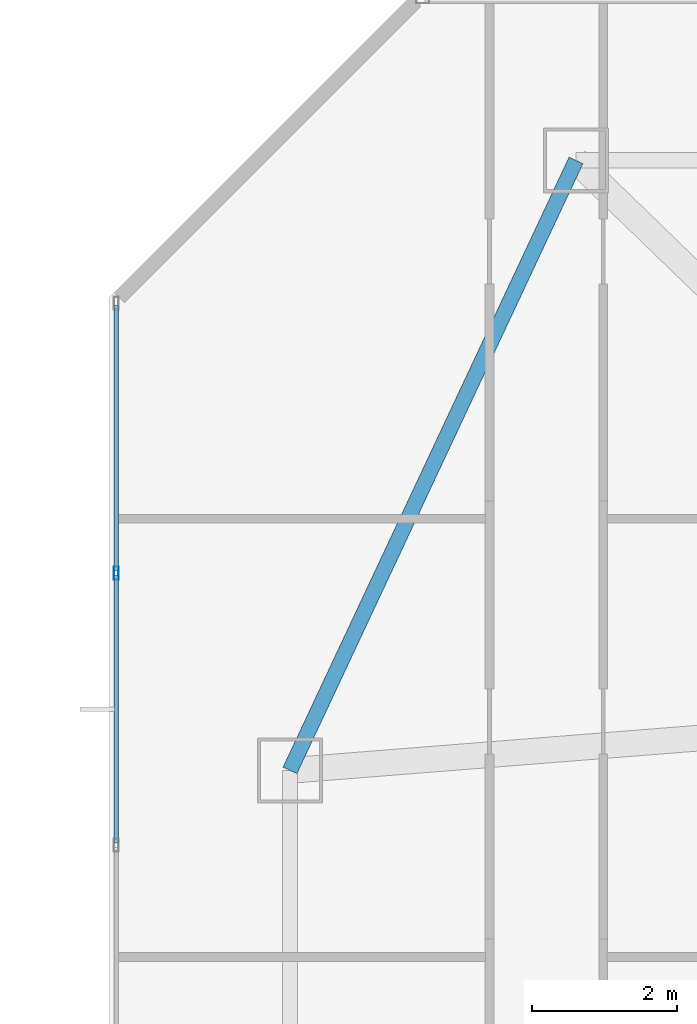
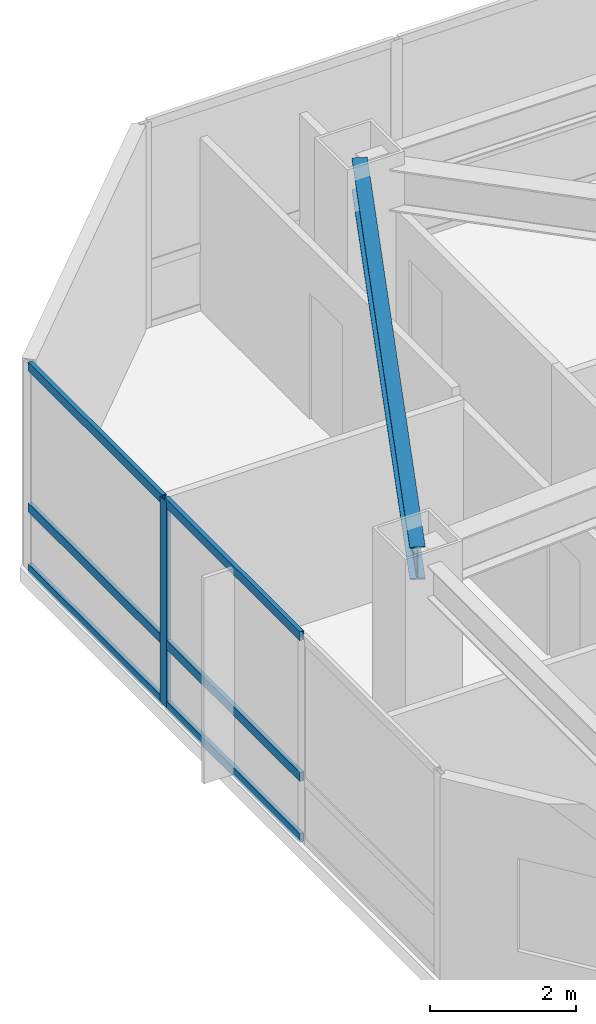
# One storey, part 3 of 21: 7 members, 1 beam, 1 element without a shape of its own.
"""IFC4 building model written with IfcOpenShell, lengths in metres."""

import ifcopenshell
import ifcopenshell.guid

model = None  # the IFC model being written
_history = None  # IfcOwnerHistory: only IFC2X3 demands one
_inside = {}  # id of a spatial element -> (the spatial element, [elements in it])
_under = {}  # id of a project, library or spatial element -> (it, [spatial elements below it])
_declared = {}  # id of a project -> (the project, [libraries it declares])
_typed = {}  # id of a type object -> (the type object, [elements of that type])
_made_of = {}  # id of a material, layer set ... -> (it, [elements and type objects made of it])


def new_model(schema):
    """Start an empty IFC model of exactly this schema.

    Asked for "IFC4X3", IfcOpenShell would pick the latest addendum, in which some entities
    have other attributes; the version numbers below select the first issue.
    IFC2X3 requires an IfcOwnerHistory on every rooted entity: one is made here for all.
    """
    global model, _history
    if schema == "IFC4X3":
        model = ifcopenshell.file(schema_version=(4, 3, 0, 0))
    else:
        model = ifcopenshell.file(schema=schema)
    _inside.clear()
    _under.clear()
    _declared.clear()
    _typed.clear()
    _made_of.clear()
    _history = None
    if model.schema == "IFC2X3":
        org = make("IfcOrganization", Name="unknown")
        user = make(
            "IfcPersonAndOrganization",
            ThePerson=make("IfcPerson", FamilyName="unknown"),
            TheOrganization=org,
        )
        app = make(
            "IfcApplication",
            ApplicationDeveloper=org,
            Version="unknown",
            ApplicationFullName="unknown",
            ApplicationIdentifier="unknown",
        )
        _history = make(
            "IfcOwnerHistory",
            OwningUser=user,
            OwningApplication=app,
            ChangeAction="ADDED",
            CreationDate=0,
        )
    return model


def make(cls, **values):
    """One entity of the class cls with the attributes given. An attribute that is None is left unset."""
    return model.create_entity(
        cls, **{name: value for name, value in values.items() if value is not None}
    )


def rooted(cls, **values):
    """An entity with a GlobalId (a new one), such as an element, a storey or a relation."""
    return make(cls, GlobalId=ifcopenshell.guid.new(), OwnerHistory=_history, **values)


def si_unit(unit_type, name, prefix=None):
    """IfcSIUnit, for example si_unit("LENGTHUNIT", "METRE", prefix="MILLI")."""
    return make("IfcSIUnit", UnitType=unit_type, Prefix=prefix, Name=name)


def assignment(units):
    """IfcUnitAssignment: the units of a project."""
    return None if units is None else make("IfcUnitAssignment", Units=units)


def point(xyz):
    """IfcCartesianPoint."""
    return None if xyz is None else make("IfcCartesianPoint", Coordinates=xyz)


def direction(xyz):
    """IfcDirection."""
    return None if xyz is None else make("IfcDirection", DirectionRatios=xyz)


def frame(location, z_axis=None, x_axis=None):
    """IfcAxis2Placement3D, a coordinate frame: its origin and axes. An axis left out is left unset."""
    return make(
        "IfcAxis2Placement3D",
        Location=point(location),
        Axis=direction(z_axis),
        RefDirection=direction(x_axis),
    )


def frame_2d(location, x_axis=None):
    """IfcAxis2Placement2D, a coordinate frame in the plane: its origin and x axis."""
    return make(
        "IfcAxis2Placement2D", Location=point(location), RefDirection=direction(x_axis)
    )


def origin():
    """The frame at (0, 0, 0) with its axes left unset."""
    return frame((0.0, 0.0, 0.0))


def origin_2d():
    """The frame at (0, 0) in the plane with its x axis left unset."""
    return frame_2d((0.0, 0.0))


def place(relative_to, where):
    """IfcLocalPlacement: puts the frame where relative to a parent placement (None: the world)."""
    return make(
        "IfcLocalPlacement", PlacementRelTo=relative_to, RelativePlacement=where
    )


def context(
    kind, dimensions, precision=None, world=None, true_north=None, identifier=None
):
    """IfcGeometricRepresentationContext, for example the 3D "Model" context."""
    return make(
        "IfcGeometricRepresentationContext",
        ContextIdentifier=identifier,
        ContextType=kind,
        CoordinateSpaceDimension=dimensions,
        Precision=precision,
        WorldCoordinateSystem=world,
        TrueNorth=true_north,
    )


def subcontext(parent, identifier, kind, view, scale=None):
    """IfcGeometricRepresentationSubContext, for example "Body" below "Model"."""
    return make(
        "IfcGeometricRepresentationSubContext",
        ContextIdentifier=identifier,
        ContextType=kind,
        ParentContext=parent,
        TargetScale=scale,
        TargetView=view,
    )


def project(units=None, contexts=None):
    """IfcProject with its units and contexts."""
    return rooted(
        "IfcProject",
        Name="project",
        RepresentationContexts=contexts,
        UnitsInContext=assignment(units),
    )


def spatial(cls, under=None, at=None, **own):
    """A site, building, storey or space (cls), placed at a placement, below another one or the project."""
    s = rooted(cls, ObjectPlacement=at, **own)
    if under is not None:
        _under.setdefault(under.id(), (under, []))[1].append(s)
    return s


def profile(cls, at=None, kind="AREA", **sizes):
    """A parametric profile (cls). Its sizes go by their IFC names, for example OverallWidth=200.0."""
    return make(cls, ProfileType=kind, Position=at, **sizes)


def hollow_rectangle(**sizes):
    """IfcRectangleHollowProfileDef."""
    return profile("IfcRectangleHollowProfileDef", **sizes)


def i_section(**sizes):
    """IfcIShapeProfileDef."""
    return profile("IfcIShapeProfileDef", **sizes)


def extrude(swept, where, along, depth):
    """IfcExtrudedAreaSolid: the profile swept, set in the frame where, extruded along a direction by depth."""
    return make(
        "IfcExtrudedAreaSolid",
        SweptArea=swept,
        Position=where,
        ExtrudedDirection=direction(along),
        Depth=depth,
    )


def shape(context_of_items, identifier, shape_type, items):
    """IfcShapeRepresentation: the items that make up one representation, for example the "Body"."""
    return make(
        "IfcShapeRepresentation",
        ContextOfItems=context_of_items,
        RepresentationIdentifier=identifier,
        RepresentationType=shape_type,
        Items=items,
    )


def material(Name=None, Category=None):
    """IfcMaterial."""
    return make("IfcMaterial", Name=Name, Category=Category)


def material_profile(
    of_material, cross_section, Name=None, Category=None, Priority=None
):
    """IfcMaterialProfile: a cross section and its material."""
    return make(
        "IfcMaterialProfile",
        Name=Name,
        Material=of_material,
        Profile=cross_section,
        Priority=Priority,
        Category=Category,
    )


def profile_set(profiles, Name=None, composite=None):
    """IfcMaterialProfileSet."""
    return make(
        "IfcMaterialProfileSet",
        Name=Name,
        MaterialProfiles=profiles,
        CompositeProfile=composite,
    )


def made_of(thing, what):
    """Note that an element or type object is made of a material, layer set ...; save() writes the relation."""
    if what is not None:
        _made_of.setdefault(what.id(), (what, []))[1].append(thing)
    return thing


def type_object(cls, material=None, **own):
    """A type object (cls), such as IfcWallType, which elements share."""
    return made_of(rooted(cls, **own), material)


def element(
    cls,
    number,
    at=None,
    inside=None,
    cuts=None,
    type_object=None,
    material=None,
    context=None,
    identifier="Body",
    shape_type=None,
    held_by="IfcProductDefinitionShape",
    body=None,
    shapes=None,
    **own,
):
    """One element of the class cls, such as IfcWall. Its Tag is "e" and its number.

    at: its placement. inside: the storey or other place that contains it. cuts: it is an
    opening in that element (IfcRelVoidsElement). A single representation is given by context,
    identifier, shape_type and body (its items); several are given by shapes. held_by: the class
    of the entity that holds the representations. save() writes the other relations.
    """
    e = rooted(cls, Tag="e%d" % number, ObjectPlacement=at, **own)
    if body is not None:
        shapes = [shape(context, identifier, shape_type, body)]
    if shapes is not None:
        e.Representation = make(held_by, Representations=shapes)
    if inside is not None:
        _inside.setdefault(inside.id(), (inside, []))[1].append(e)
    if cuts is not None:
        rooted(
            "IfcRelVoidsElement", RelatingBuildingElement=cuts, RelatedOpeningElement=e
        )
    if type_object is not None:
        _typed.setdefault(type_object.id(), (type_object, []))[1].append(e)
    return made_of(e, material)


def aggregate(whole, parts):
    """IfcRelAggregates: a whole, such as a stair, and the parts it consists of."""
    return rooted("IfcRelAggregates", RelatingObject=whole, RelatedObjects=parts)


def save(model, path):
    """Write the relations noted so far, then the file.

    IfcRelAggregates (storeys below a building ...), IfcRelContainedInSpatialStructure (elements
    in a storey), IfcRelDefinesByType, IfcRelAssociatesMaterial and IfcRelDeclares: one each for
    every whole, place, type object, material and project.
    """
    for whole, parts in _under.values():
        aggregate(whole, parts)
    for where, things in _inside.values():
        rooted(
            "IfcRelContainedInSpatialStructure",
            RelatedElements=things,
            RelatingStructure=where,
        )
    for kind, things in _typed.values():
        rooted("IfcRelDefinesByType", RelatedObjects=things, RelatingType=kind)
    for what, things in _made_of.values():
        rooted("IfcRelAssociatesMaterial", RelatedObjects=things, RelatingMaterial=what)
    for by, libraries in _declared.values():
        rooted("IfcRelDeclares", RelatingContext=by, RelatedDefinitions=libraries)
    model.write(path)


model = new_model("IFC4")

# Units and contexts
model_context = context("Model", 3, precision=1e-05, world=origin(), true_north=direction((0.0, 1.0)))
body_context = subcontext(model_context, "Body", "Model", "MODEL_VIEW")
ifc_project = project(units=[si_unit("LENGTHUNIT", "METRE"), si_unit("AREAUNIT", "SQUARE_METRE"), si_unit("VOLUMEUNIT", "CUBIC_METRE"), si_unit("PLANEANGLEUNIT", "RADIAN"), si_unit("MASSUNIT", "GRAM", prefix="KILO")], contexts=[model_context])

# Site, building, storey
site_placement = place(None, origin())
site = spatial("IfcSite", under=ifc_project, at=site_placement, CompositionType="ELEMENT")
building_placement = place(site_placement, origin())
building = spatial("IfcBuilding", under=site, at=building_placement, Name="Khamvora Tower", CompositionType="ELEMENT")
storey_placement = place(building_placement, frame((0.0, 0.0, 159.550048828125)))
storey = spatial("IfcBuildingStorey", under=building, at=storey_placement, Name="L40", CompositionType="ELEMENT", Elevation=159.550048828125)

# Beam
ifc_material_1 = material(Name="Steel S355", Category="steel")
ifc_material_profile_1 = material_profile(ifc_material_1, i_section(OverallWidth=0.2119140625, OverallDepth=0.5439453125, WebThickness=0.012939453125, FlangeThickness=0.02099609375, FilletRadius=0.013916015625, at=origin_2d()), Name="W530x123")
ifc_profile_set_1 = profile_set([ifc_material_profile_1], Name="Steel S355")
beam_type = type_object("IfcBeamType", Name="BM-SP-W530x123", PredefinedType="SPANDREL", material=ifc_profile_set_1)
beam_placement = place(storey_placement, frame((21.25, 44.5, 3.157958984375), z_axis=(-0.424496391454, -0.905429629315, 0.0), x_axis=(0.905429629315, -0.424496391454, 0.0)))
element("IfcBeam", 1, at=beam_placement, inside=storey, type_object=beam_type, Name="L40 perimeter spandrel beam N1-W2", PredefinedType="SPANDREL", context=body_context, shape_type="SweptSolid", body=[
    extrude(i_section(OverallWidth=0.2119140625, OverallDepth=0.5439453125, WebThickness=0.012939453125, FlangeThickness=0.02099609375, FilletRadius=0.013916015625, at=origin_2d()), origin(), (0.0, 0.0, 1.0), 9.304931640625),
])

# Curtain wall, members
ifc_material_2 = material(Name="Anodised Aluminium 6063-T6", Category="aluminium")
curtain_wall_type = type_object("IfcCurtainWallType", Name="CW-SYS-04", PredefinedType="NOTDEFINED", material=ifc_material_2)
curtain_wall_placement = place(storey_placement, origin())
curtain_wall = element("IfcCurtainWall", 2, at=curtain_wall_placement, inside=storey, type_object=curtain_wall_type, Name="L40 stick curtain wall 05.1", PredefinedType="NOTDEFINED")
ifc_material_profile_2 = material_profile(ifc_material_2, hollow_rectangle(XDim=0.06494140625, YDim=0.179931640625, WallThickness=0.0048828125, at=origin_2d()), Name="MUL65x180x5")
ifc_profile_set_2 = profile_set([ifc_material_profile_2], Name="Anodised Aluminium 6063-T6")
member_type_1 = type_object("IfcMemberType", Name="CW-SYS-04-MUL", PredefinedType="MULLION", material=ifc_profile_set_2)
member_1_placement = place(storey_placement, frame((14.89990234375, 38.80078125, 0.0), z_axis=(0.0, 0.0, 1.0), x_axis=(-1.0, 0.0, 0.0)))
member_1 = element("IfcMember", 3, at=member_1_placement, type_object=member_type_1, Name="CW-04 mullion 3", PredefinedType="MULLION", context=body_context, shape_type="SweptSolid", body=[
    extrude(hollow_rectangle(XDim=0.06494140625, YDim=0.179931640625, WallThickness=0.0048828125, at=origin_2d()), origin(), (0.0, 0.0, 1.0), 3.429931640625),
])
ifc_material_profile_3 = material_profile(ifc_material_2, hollow_rectangle(XDim=0.06494140625, YDim=0.14990234375, WallThickness=0.0048828125, at=origin_2d()), Name="TRN65x150x5")
ifc_profile_set_3 = profile_set([ifc_material_profile_3], Name="Anodised Aluminium 6063-T6")
member_type_2 = type_object("IfcMemberType", Name="CW-SYS-04-TRN", PredefinedType="USERDEFINED", material=ifc_profile_set_3)
member_2_placement = place(storey_placement, frame((14.89990234375, 35.074951171875, 0.032470703125), z_axis=(0.0, 1.0, 0.0), x_axis=(-1.0, 0.0, 0.0)))
member_2 = element("IfcMember", 4, at=member_2_placement, type_object=member_type_2, Name="CW-04 transom 2.1", ObjectType="TRANSOM", PredefinedType="USERDEFINED", context=body_context, shape_type="SweptSolid", body=[
    extrude(hollow_rectangle(XDim=0.06494140625, YDim=0.14990234375, WallThickness=0.0048828125, at=origin_2d()), origin(), (0.0, 0.0, 1.0), 3.693115234375),
])
member_3_placement = place(storey_placement, frame((14.89990234375, 35.074951171875, 1.050048828125), z_axis=(0.0, 1.0, 0.0), x_axis=(-1.0, 0.0, 0.0)))
member_3 = element("IfcMember", 5, at=member_3_placement, type_object=member_type_2, Name="CW-04 transom 2.2", ObjectType="TRANSOM", PredefinedType="USERDEFINED", context=body_context, shape_type="SweptSolid", body=[
    extrude(hollow_rectangle(XDim=0.06494140625, YDim=0.14990234375, WallThickness=0.0048828125, at=origin_2d()), origin(), (0.0, 0.0, 1.0), 3.693115234375),
])
member_4_placement = place(storey_placement, frame((14.89990234375, 35.074951171875, 3.3974609375), z_axis=(0.0, 1.0, 0.0), x_axis=(-1.0, 0.0, 0.0)))
member_4 = element("IfcMember", 6, at=member_4_placement, type_object=member_type_2, Name="CW-04 transom 2.3", ObjectType="TRANSOM", PredefinedType="USERDEFINED", context=body_context, shape_type="SweptSolid", body=[
    extrude(hollow_rectangle(XDim=0.06494140625, YDim=0.14990234375, WallThickness=0.0048828125, at=origin_2d()), origin(), (0.0, 0.0, 1.0), 3.693115234375),
])
member_5_placement = place(storey_placement, frame((14.89990234375, 38.833251953125, 0.032470703125), z_axis=(0.0, 1.0, 0.0), x_axis=(-1.0, 0.0, 0.0)))
member_5 = element("IfcMember", 7, at=member_5_placement, type_object=member_type_2, Name="CW-04 transom 3.1", ObjectType="TRANSOM", PredefinedType="USERDEFINED", context=body_context, shape_type="SweptSolid", body=[
    extrude(hollow_rectangle(XDim=0.06494140625, YDim=0.14990234375, WallThickness=0.0048828125, at=origin_2d()), origin(), (0.0, 0.0, 1.0), 3.66064453125),
])
member_6_placement = place(storey_placement, frame((14.89990234375, 38.833251953125, 1.050048828125), z_axis=(0.0, 1.0, 0.0), x_axis=(-1.0, 0.0, 0.0)))
member_6 = element("IfcMember", 8, at=member_6_placement, type_object=member_type_2, Name="CW-04 transom 3.2", ObjectType="TRANSOM", PredefinedType="USERDEFINED", context=body_context, shape_type="SweptSolid", body=[
    extrude(hollow_rectangle(XDim=0.06494140625, YDim=0.14990234375, WallThickness=0.0048828125, at=origin_2d()), origin(), (0.0, 0.0, 1.0), 3.66064453125),
])
member_7_placement = place(storey_placement, frame((14.89990234375, 38.833251953125, 3.3974609375), z_axis=(0.0, 1.0, 0.0), x_axis=(-1.0, 0.0, 0.0)))
member_7 = element("IfcMember", 9, at=member_7_placement, type_object=member_type_2, Name="CW-04 transom 3.3", ObjectType="TRANSOM", PredefinedType="USERDEFINED", context=body_context, shape_type="SweptSolid", body=[
    extrude(hollow_rectangle(XDim=0.06494140625, YDim=0.14990234375, WallThickness=0.0048828125, at=origin_2d()), origin(), (0.0, 0.0, 1.0), 3.66064453125),
])
aggregate(curtain_wall, [member_1, member_2, member_3, member_4, member_5, member_6, member_7])

save(model, "model.ifc")
